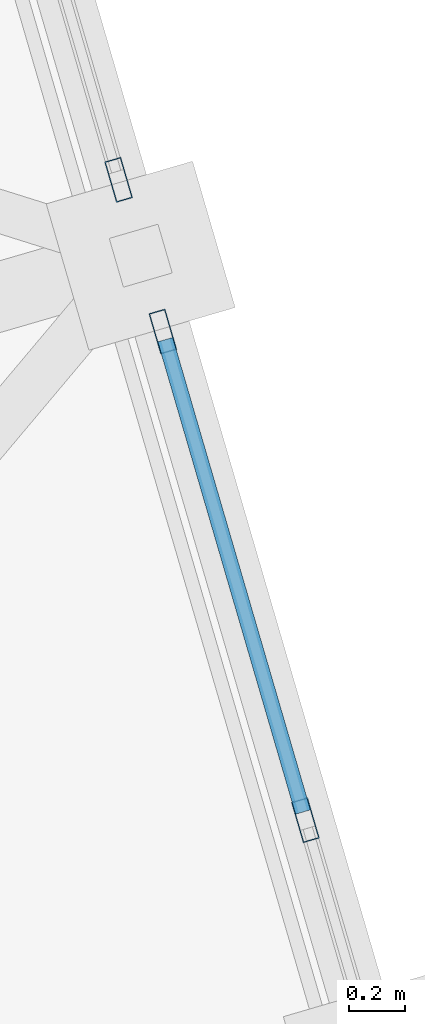
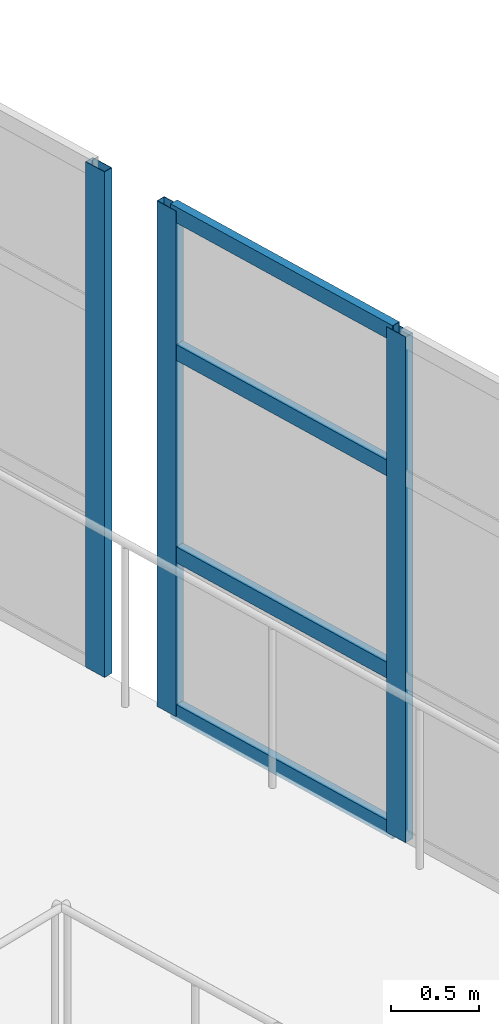
# One storey, part 76 of 248: 7 members, 2 elements without a shape of their own.
"""IFC4 building model written with IfcOpenShell, lengths in metres."""

from ifc_helpers import new_model, si_unit, direction, frame, origin, origin_2d, place, context, subcontext, project, spatial, hollow_rectangle, extrude, material, layer, layer_set, material_profile, profile_set, type_object, element, aggregate, save


model = new_model("IFC4")

# Units and contexts
model_context = context("Model", 3, precision=1e-05, world=origin(), true_north=direction((0.0, 1.0)))
body_context = subcontext(model_context, "Body", "Model", "MODEL_VIEW")
ifc_project = project(units=[si_unit("LENGTHUNIT", "METRE"), si_unit("AREAUNIT", "SQUARE_METRE"), si_unit("VOLUMEUNIT", "CUBIC_METRE"), si_unit("PLANEANGLEUNIT", "RADIAN"), si_unit("MASSUNIT", "GRAM", prefix="KILO")], contexts=[model_context])

# Site, building, storey
site_placement = place(None, origin())
site = spatial("IfcSite", under=ifc_project, at=site_placement, CompositionType="ELEMENT")
building_placement = place(site_placement, origin())
building = spatial("IfcBuilding", under=site, at=building_placement, Name="Canggui Botanical Conservatory", CompositionType="ELEMENT")
storey_placement = place(building_placement, frame((0.0, 0.0, 5.39990234375)))
storey = spatial("IfcBuildingStorey", under=building, at=storey_placement, Name="L02", CompositionType="ELEMENT", Elevation=5.39990234375)

# Curtain wall, members
ifc_material = material(Name="Thermally Broken Aluminium", Category="aluminium")
ifc_layer = layer(ifc_material, 0.14990234375, Name="Thermally Broken Aluminium", Category="aluminium")
ifc_layer_set = layer_set([ifc_layer], Name="Thermally Broken Aluminium")
curtain_wall_type = type_object("IfcCurtainWallType", Name="CW-UNIT-C", PredefinedType="USERDEFINED", material=ifc_layer_set)
curtain_wall_1_placement = place(storey_placement, origin())
curtain_wall_1 = element("IfcCurtainWall", 1, at=curtain_wall_1_placement, inside=storey, type_object=curtain_wall_type, Name="Facade Curtain Wall CW-CONS-GABLE-L02-N-01", ObjectType="UNITISED CURTAIN WALL", PredefinedType="USERDEFINED")
ifc_material_profile_1 = material_profile(ifc_material, hollow_rectangle(XDim=0.06005859375, YDim=0.14990234375, WallThickness=0.00341796875, at=origin_2d()), Name="CWM 60x150x3.5")
ifc_profile_set_1 = profile_set([ifc_material_profile_1], Name="Thermally Broken Aluminium")
member_type_1 = type_object("IfcMemberType", Name="CWM-03", PredefinedType="MULLION", material=ifc_profile_set_1)
member_1_placement = place(storey_placement, frame((70.743408203125, 60.8798828125, 0.0), z_axis=(0.0, 0.0, 1.0), x_axis=(-0.960000000002, -0.279999999995, 0.0)))
member_1 = element("IfcMember", 2, at=member_1_placement, type_object=member_type_1, Name="CW-03 mullion 3", PredefinedType="MULLION", context=body_context, shape_type="SweptSolid", body=[
    extrude(hollow_rectangle(XDim=0.06005859375, YDim=0.14990234375, WallThickness=0.00341796875, at=origin_2d()), origin(), (0.0, 0.0, 1.0), 3.5),
])
member_2_placement = place(storey_placement, frame((70.23828125, 62.611083984375, 0.0), z_axis=(0.0, 0.0, 1.0), x_axis=(-0.960000000002, -0.279999999995, 0.0)))
member_2 = element("IfcMember", 3, at=member_2_placement, type_object=member_type_1, Name="CW-03 mullion 4", PredefinedType="MULLION", context=body_context, shape_type="SweptSolid", body=[
    extrude(hollow_rectangle(XDim=0.06005859375, YDim=0.14990234375, WallThickness=0.00341796875, at=origin_2d()), origin(), (0.0, 0.0, 1.0), 3.5),
])

# Curtain wall, member
curtain_wall_2_placement = place(storey_placement, origin())
curtain_wall_2 = element("IfcCurtainWall", 4, at=curtain_wall_2_placement, inside=storey, type_object=curtain_wall_type, Name="Facade Curtain Wall CW-CONS-GABLE-L02-N-02", ObjectType="UNITISED CURTAIN WALL", PredefinedType="USERDEFINED")
member_3_placement = place(storey_placement, frame((70.08154296875, 63.148681640625, 0.0), z_axis=(0.0, 0.0, 1.0), x_axis=(-0.960000000002, -0.279999999995, 0.0)))
member_3 = element("IfcMember", 5, at=member_3_placement, type_object=member_type_1, Name="CW-03 mullion 1", PredefinedType="MULLION", context=body_context, shape_type="SweptSolid", body=[
    extrude(hollow_rectangle(XDim=0.06005859375, YDim=0.14990234375, WallThickness=0.00341796875, at=origin_2d()), origin(), (0.0, 0.0, 1.0), 3.5),
])
aggregate(curtain_wall_2, [member_3])

# Member
ifc_material_profile_2 = material_profile(ifc_material, hollow_rectangle(XDim=0.054931640625, YDim=0.110107421875, WallThickness=0.0029296875, at=origin_2d()), Name="CWT 55x110x3")
ifc_profile_set_2 = profile_set([ifc_material_profile_2], Name="Thermally Broken Aluminium")
member_type_2 = type_object("IfcMemberType", Name="CWT-03", PredefinedType="USERDEFINED", material=ifc_profile_set_2)
member_4_placement = place(storey_placement, frame((70.73486328125, 60.90869140625, 0.027587890625), z_axis=(-0.279913966289, 0.960025088983, 0.0), x_axis=(-0.960025088983, -0.279913966289, 0.0)))
member_4 = element("IfcMember", 6, at=member_4_placement, type_object=member_type_2, Name="CW-03 transom 3.1", ObjectType="TRANSOM", PredefinedType="USERDEFINED", context=body_context, shape_type="SweptSolid", body=[
    extrude(hollow_rectangle(XDim=0.054931640625, YDim=0.110107421875, WallThickness=0.0029296875, at=origin_2d()), origin(), (0.0, 0.0, 1.0), 1.743408203125),
])

member_5_placement = place(storey_placement, frame((70.73486328125, 60.90869140625, 1.1201171875), z_axis=(-0.279913966289, 0.960025088983, 0.0), x_axis=(-0.960025088983, -0.279913966289, 0.0)))
member_5 = element("IfcMember", 7, at=member_5_placement, type_object=member_type_2, Name="CW-03 transom 3.2", ObjectType="TRANSOM", PredefinedType="USERDEFINED", context=body_context, shape_type="SweptSolid", body=[
    extrude(hollow_rectangle(XDim=0.054931640625, YDim=0.110107421875, WallThickness=0.0029296875, at=origin_2d()), origin(), (0.0, 0.0, 1.0), 1.743408203125),
])

member_6_placement = place(storey_placement, frame((70.73486328125, 60.90869140625, 2.52001953125), z_axis=(-0.279913966289, 0.960025088983, 0.0), x_axis=(-0.960025088983, -0.279913966289, 0.0)))
member_6 = element("IfcMember", 8, at=member_6_placement, type_object=member_type_2, Name="CW-03 transom 3.3", ObjectType="TRANSOM", PredefinedType="USERDEFINED", context=body_context, shape_type="SweptSolid", body=[
    extrude(hollow_rectangle(XDim=0.054931640625, YDim=0.110107421875, WallThickness=0.0029296875, at=origin_2d()), origin(), (0.0, 0.0, 1.0), 1.743408203125),
])

member_7_placement = place(storey_placement, frame((70.73486328125, 60.90869140625, 3.47265625), z_axis=(-0.279913966289, 0.960025088983, 0.0), x_axis=(-0.960025088983, -0.279913966289, 0.0)))
member_7 = element("IfcMember", 9, at=member_7_placement, type_object=member_type_2, Name="CW-03 transom 3.4", ObjectType="TRANSOM", PredefinedType="USERDEFINED", context=body_context, shape_type="SweptSolid", body=[
    extrude(hollow_rectangle(XDim=0.054931640625, YDim=0.110107421875, WallThickness=0.0029296875, at=origin_2d()), origin(), (0.0, 0.0, 1.0), 1.743408203125),
])

aggregate(curtain_wall_1, [member_1, member_2, member_4, member_5, member_6, member_7])

save(model, "model.ifc")
